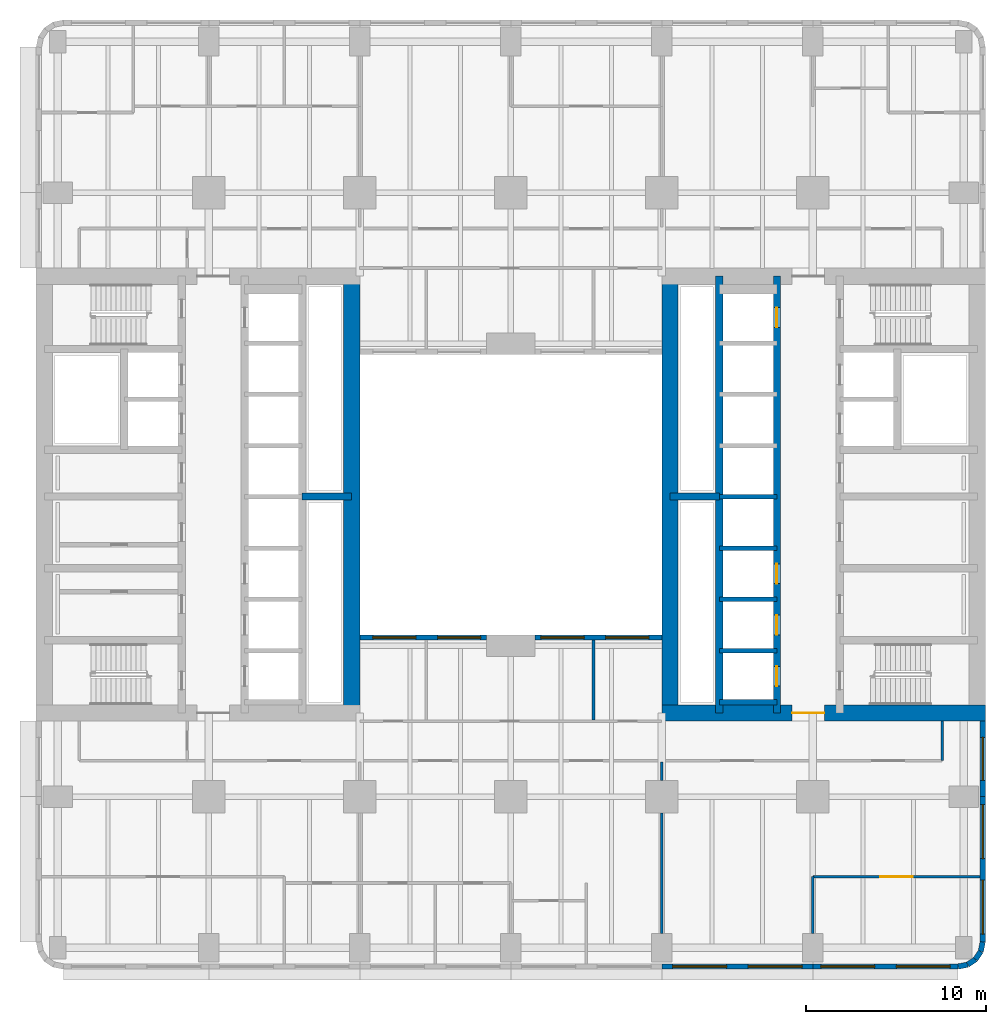
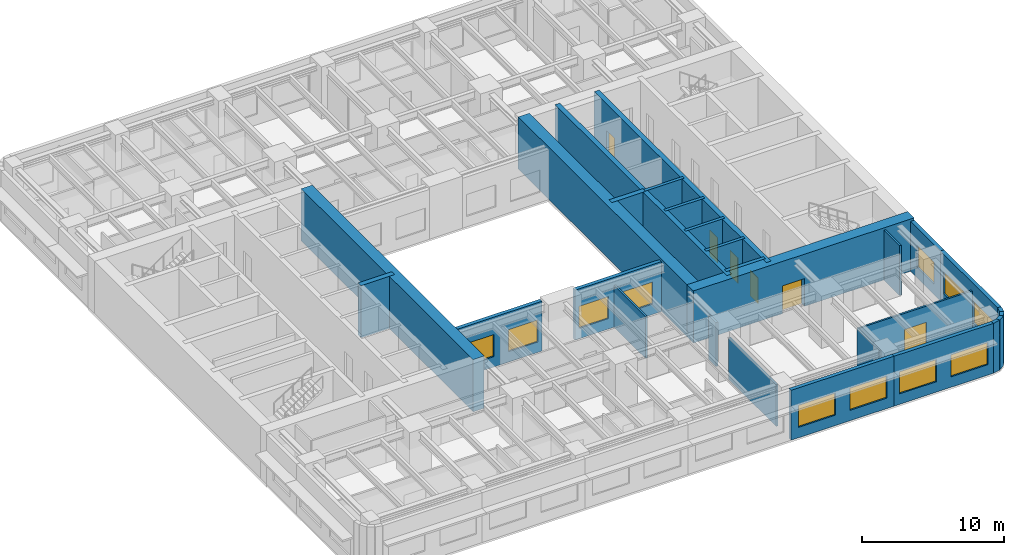
# One storey, part 5 of 13: 28 walls, 11 windows, 6 doors, 17 openings.
"""IFC4 building model written with IfcOpenShell, lengths in metres."""

from ifc_helpers import new_model, si_unit, direction, frame, frame_2d, origin, place, context, subcontext, project, spatial, rectangle, extrude, material, layer, layer_set, type_object, element, fill, save


model = new_model("IFC4")

# Units and contexts
model_context = context("Model", 3, precision=1e-05, world=origin(), true_north=direction((0.0, 1.0)))
body_context = subcontext(model_context, "Body", "Model", "MODEL_VIEW")
ifc_project = project(units=[si_unit("LENGTHUNIT", "METRE"), si_unit("AREAUNIT", "SQUARE_METRE"), si_unit("VOLUMEUNIT", "CUBIC_METRE"), si_unit("PLANEANGLEUNIT", "RADIAN"), si_unit("MASSUNIT", "GRAM", prefix="KILO")], contexts=[model_context])

# Site, building, storey
site_placement = place(None, origin())
site = spatial("IfcSite", under=ifc_project, at=site_placement, CompositionType="ELEMENT")
building_placement = place(site_placement, origin())
building = spatial("IfcBuilding", under=site, at=building_placement, Name="Claustro Exchange Tower", CompositionType="ELEMENT")
storey_placement = place(building_placement, frame((0.0, 0.0, 86.39990234375)))
storey = spatial("IfcBuildingStorey", under=building, at=storey_placement, Name="L19", CompositionType="ELEMENT", Elevation=86.39990234375)

# Wall, opening, door
ifc_material_1 = material(Name="Gypsum board on steel studs", Category="steel")
ifc_layer_1 = layer(ifc_material_1, 0.14990234375)
ifc_layer_set_1 = layer_set([ifc_layer_1], Name="Gypsum board on steel studs")
wall_type_1 = type_object("IfcWallType", Name="P1 150 plasterboard partition", PredefinedType="PARTITIONING", material=ifc_layer_set_1)
wall_1_placement = place(storey_placement, frame((42.0, 3.949951171875, 0.0), z_axis=(0.0, 0.0, 1.0), x_axis=(1.0, 0.0, 0.0)))
wall_1 = element("IfcWall", 1, at=wall_1_placement, inside=storey, type_object=wall_type_1, Name="Partition P1 L19", PredefinedType="PARTITIONING", context=body_context, shape_type="SweptSolid", body=[
    extrude(rectangle(XDim=9.302001953125, YDim=0.14990234375, at=frame_2d((4.65087890625, 0.0))), origin(), (0.0, 0.0, 1.0), 3.60009765625),
])
opening_1_placement = place(wall_1_placement, frame((3.75, 0.0, 0.0)))
opening_1 = element("IfcOpeningElement", 2, at=opening_1_placement, cuts=wall_1, Name="Opening D2", PredefinedType="OPENING", context=body_context, shape_type="SweptSolid", body=[
    extrude(rectangle(XDim=1.800048828125, YDim=2.199951171875, at=frame_2d((0.89990234375, 1.10009765625))), frame((0.0, 0.0849609375, 0.0), z_axis=(0.0, -1.0, 0.0), x_axis=(1.0, 0.0, 0.0)), (0.0, 0.0, 1.0), 0.169921875),
])
ifc_material_2 = material(Name="Timber door, oak veneer", Category="wood")
door_type_1 = type_object("IfcDoorType", Name="D2 1800 x 2200 double door", OperationType="DOUBLE_DOOR_SINGLE_SWING", PredefinedType="DOOR", material=ifc_material_2)
door_1_placement = place(opening_1_placement, frame((1.800048828125, 0.0, 0.0), z_axis=(0.0, 0.0, 1.0), x_axis=(-1.0, 0.0, 0.0)))
door_1 = element("IfcDoor", 3, at=door_1_placement, inside=storey, type_object=door_type_1, Name="Double door D2 L19", OperationType="DOUBLE_DOOR_SINGLE_SWING", OverallHeight=2.199951171875, OverallWidth=1.800048828125, PredefinedType="DOOR", context=body_context, shape_type="SweptSolid", body=[
    extrude(rectangle(XDim=1.800048828125, YDim=2.199951171875, at=frame_2d((0.89990234375, 1.10009765625))), frame((0.0, 0.02490234375, 0.0), z_axis=(0.0, -1.0, 0.0), x_axis=(1.0, 0.0, 0.0)), (0.0, 0.0, 1.0), 0.050048828125),
])
fill(opening_1, door_1)

# Walls
wall_2_placement = place(storey_placement, frame((42.0, 0.799072265625, 0.0), z_axis=(0.0, 0.0, 1.0), x_axis=(0.0, 1.0, 0.0)))
element("IfcWall", 4, at=wall_2_placement, inside=storey, type_object=wall_type_1, Name="Partition P1 L19", PredefinedType="PARTITIONING", context=body_context, shape_type="SweptSolid", body=[
    extrude(rectangle(XDim=3.15087890625, YDim=0.14990234375, at=frame_2d((1.575439453125, 0.0))), origin(), (0.0, 0.0, 1.0), 3.60009765625),
])
wall_3_placement = place(storey_placement, frame((33.60009765625, 0.799072265625, 0.0), z_axis=(0.0, 0.0, 1.0), x_axis=(0.0, 1.0, 0.0)))
element("IfcWall", 5, at=wall_3_placement, inside=storey, type_object=wall_type_1, Name="Partition P1 L19", PredefinedType="PARTITIONING", context=body_context, shape_type="SweptSolid", body=[
    extrude(rectangle(XDim=6.701904296875, YDim=0.14990234375, at=frame_2d((3.35107421875, 0.0))), origin(), (0.0, 0.0, 1.0), 3.60009765625),
])
wall_4_placement = place(storey_placement, frame((33.60009765625, 9.299072265625, 0.0), z_axis=(0.0, 0.0, 1.0), x_axis=(0.0, 1.0, 0.0)))
element("IfcWall", 6, at=wall_4_placement, inside=storey, type_object=wall_type_1, Name="Partition P1 L19", PredefinedType="PARTITIONING", context=body_context, shape_type="SweptSolid", body=[
    extrude(rectangle(XDim=1.02685546875, YDim=0.14990234375, at=frame_2d((0.513427734375, 0.0))), origin(), (0.0, 0.0, 1.0), 3.80419921875),
])
wall_5_placement = place(storey_placement, frame((49.199951171875, 10.39990234375, 0.0), z_axis=(0.0, 0.0, 1.0), x_axis=(0.0, 1.0, 0.0)))
element("IfcWall", 7, at=wall_5_placement, inside=storey, type_object=wall_type_1, Name="Partition P1 L19", PredefinedType="PARTITIONING", context=body_context, shape_type="SweptSolid", body=[
    extrude(rectangle(XDim=2.2021484375, YDim=0.14990234375, at=frame_2d((1.10107421875, 0.0))), origin(), (0.0, 0.0, 1.0), 4.300048828125),
])
wall_6_placement = place(storey_placement, frame((29.800048828125, 12.674072265625, 0.0), z_axis=(0.0, 0.0, 1.0), x_axis=(0.0, 1.0, 0.0)))
element("IfcWall", 8, at=wall_6_placement, inside=storey, type_object=wall_type_1, Name="Partition P1 L19", PredefinedType="PARTITIONING", context=body_context, shape_type="SweptSolid", body=[
    extrude(rectangle(XDim=4.427978515625, YDim=0.14990234375, at=frame_2d((2.2138671875, 0.0))), origin(), (0.0, 0.0, 1.0), 3.610107421875),
])

# Wall, openings, windows
ifc_material_3 = material(Name="Concrete HA-40 (C40/50), precast, white cement, acid-etched", Category="concrete")
ifc_layer_2 = layer(ifc_material_3, 0.300048828125)
ifc_layer_set_2 = layer_set([ifc_layer_2], Name="Concrete HA-40 (C40/50), precast, white cement, acid-etched")
wall_type_2 = type_object("IfcWallType", Name="PC1 300 precast concrete pier panel", PredefinedType="SOLIDWALL", material=ifc_layer_set_2)
wall_7_placement = place(storey_placement, frame((50.085205078125, -1.050048828125, 0.0), z_axis=(0.0, 0.0, 1.0), x_axis=(-1.0, 0.0, 0.0)))
wall_7 = element("IfcWall", 9, at=wall_7_placement, inside=storey, type_object=wall_type_2, Name="Precast pier panel PC1 L19", PredefinedType="SOLIDWALL", context=body_context, shape_type="SweptSolid", body=[
    extrude(rectangle(XDim=8.085205078125, YDim=0.300048828125, at=frame_2d((4.04248046875, 0.0))), origin(), (0.0, 0.0, 1.0), 4.300048828125),
])
opening_2_placement = place(wall_7_placement, frame((0.442626953125, 0.0, 0.89990234375)))
opening_2 = element("IfcOpeningElement", 10, at=opening_2_placement, cuts=wall_7, Name="Opening W1", PredefinedType="OPENING", context=body_context, shape_type="SweptSolid", body=[
    extrude(rectangle(XDim=3.0, YDim=1.89990234375, at=frame_2d((1.5, 0.949951171875))), frame((0.0, 0.159912109375, 0.0), z_axis=(0.0, -1.0, 0.0), x_axis=(1.0, 0.0, 0.0)), (0.0, 0.0, 1.0), 0.320068359375),
])
opening_3_placement = place(wall_7_placement, frame((4.642578125, 0.0, 0.89990234375)))
opening_3 = element("IfcOpeningElement", 11, at=opening_3_placement, cuts=wall_7, Name="Opening W1", PredefinedType="OPENING", context=body_context, shape_type="SweptSolid", body=[
    extrude(rectangle(XDim=3.0, YDim=1.89990234375, at=frame_2d((1.5, 0.949951171875))), frame((0.0, 0.159912109375, 0.0), z_axis=(0.0, -1.0, 0.0), x_axis=(1.0, 0.0, 0.0)), (0.0, 0.0, 1.0), 0.320068359375),
])
ifc_material_4 = material(Name="Aluminium frame, clear double glazing", Category="aluminium")
window_type_1 = type_object("IfcWindowType", Name="W1 3000 x 1900 window", PartitioningType="SINGLE_PANEL", PredefinedType="WINDOW", material=ifc_material_4)
window_1_placement = place(opening_2_placement, origin())
window_1 = element("IfcWindow", 12, at=window_1_placement, inside=storey, type_object=window_type_1, Name="Window W1 L19", OverallHeight=1.89990234375, OverallWidth=3.0, PartitioningType="SINGLE_PANEL", PredefinedType="WINDOW", context=body_context, shape_type="SweptSolid", body=[
    extrude(rectangle(XDim=3.0, YDim=1.89990234375, at=frame_2d((1.5, 0.949951171875))), frame((0.0, 0.030029296875, 0.0), z_axis=(0.0, -1.0, 0.0), x_axis=(1.0, 0.0, 0.0)), (0.0, 0.0, 1.0), 0.06005859375),
])
fill(opening_2, window_1)
window_2_placement = place(opening_3_placement, origin())
window_2 = element("IfcWindow", 13, at=window_2_placement, inside=storey, type_object=window_type_1, Name="Window W1 L19", OverallHeight=1.89990234375, OverallWidth=3.0, PartitioningType="SINGLE_PANEL", PredefinedType="WINDOW", context=body_context, shape_type="SweptSolid", body=[
    extrude(rectangle(XDim=3.0, YDim=1.89990234375, at=frame_2d((1.5, 0.949951171875))), frame((0.0, 0.030029296875, 0.0), z_axis=(0.0, -1.0, 0.0), x_axis=(1.0, 0.0, 0.0)), (0.0, 0.0, 1.0), 0.06005859375),
])
fill(opening_3, window_2)

wall_8_placement = place(storey_placement, frame((42.0, -1.050048828125, 0.0), z_axis=(0.0, 0.0, 1.0), x_axis=(-1.0, 0.0, 0.0)))
wall_8 = element("IfcWall", 14, at=wall_8_placement, inside=storey, type_object=wall_type_2, Name="Precast pier panel PC1 L19", PredefinedType="SOLIDWALL", context=body_context, shape_type="SweptSolid", body=[
    extrude(rectangle(XDim=8.39990234375, YDim=0.300048828125, at=frame_2d((4.199951171875, 0.0))), origin(), (0.0, 0.0, 1.0), 4.300048828125),
])
opening_4_placement = place(wall_8_placement, frame((0.60009765625, 0.0, 0.89990234375)))
opening_4 = element("IfcOpeningElement", 15, at=opening_4_placement, cuts=wall_8, Name="Opening W1", PredefinedType="OPENING", context=body_context, shape_type="SweptSolid", body=[
    extrude(rectangle(XDim=3.0, YDim=1.89990234375, at=frame_2d((1.5, 0.949951171875))), frame((0.0, 0.159912109375, 0.0), z_axis=(0.0, -1.0, 0.0), x_axis=(1.0, 0.0, 0.0)), (0.0, 0.0, 1.0), 0.320068359375),
])
opening_5_placement = place(wall_8_placement, frame((4.800048828125, 0.0, 0.89990234375)))
opening_5 = element("IfcOpeningElement", 16, at=opening_5_placement, cuts=wall_8, Name="Opening W1", PredefinedType="OPENING", context=body_context, shape_type="SweptSolid", body=[
    extrude(rectangle(XDim=3.0, YDim=1.89990234375, at=frame_2d((1.5, 0.949951171875))), frame((0.0, 0.159912109375, 0.0), z_axis=(0.0, -1.0, 0.0), x_axis=(1.0, 0.0, 0.0)), (0.0, 0.0, 1.0), 0.320068359375),
])
window_3_placement = place(opening_4_placement, origin())
window_3 = element("IfcWindow", 17, at=window_3_placement, inside=storey, type_object=window_type_1, Name="Window W1 L19", OverallHeight=1.89990234375, OverallWidth=3.0, PartitioningType="SINGLE_PANEL", PredefinedType="WINDOW", context=body_context, shape_type="SweptSolid", body=[
    extrude(rectangle(XDim=3.0, YDim=1.89990234375, at=frame_2d((1.5, 0.949951171875))), frame((0.0, 0.030029296875, 0.0), z_axis=(0.0, -1.0, 0.0), x_axis=(1.0, 0.0, 0.0)), (0.0, 0.0, 1.0), 0.06005859375),
])
fill(opening_4, window_3)
window_4_placement = place(opening_5_placement, origin())
window_4 = element("IfcWindow", 18, at=window_4_placement, inside=storey, type_object=window_type_1, Name="Window W1 L19", OverallHeight=1.89990234375, OverallWidth=3.0, PartitioningType="SINGLE_PANEL", PredefinedType="WINDOW", context=body_context, shape_type="SweptSolid", body=[
    extrude(rectangle(XDim=3.0, YDim=1.89990234375, at=frame_2d((1.5, 0.949951171875))), frame((0.0, 0.030029296875, 0.0), z_axis=(0.0, -1.0, 0.0), x_axis=(1.0, 0.0, 0.0)), (0.0, 0.0, 1.0), 0.06005859375),
])
fill(opening_5, window_4)

# Wall, opening, window
wall_9_placement = place(storey_placement, frame((51.449951171875, 12.60009765625, 0.0), z_axis=(0.0, 0.0, 1.0), x_axis=(0.0, -1.0, 0.0)))
wall_9 = element("IfcWall", 19, at=wall_9_placement, inside=storey, type_object=wall_type_2, Name="Precast pier panel PC1 L19", PredefinedType="SOLIDWALL", context=body_context, shape_type="SweptSolid", body=[
    extrude(rectangle(XDim=4.2001953125, YDim=0.300048828125, at=frame_2d((2.10009765625, 0.0))), origin(), (0.0, 0.0, 1.0), 4.300048828125),
])
opening_6_placement = place(wall_9_placement, frame((0.89990234375, 0.0, 0.89990234375)))
opening_6 = element("IfcOpeningElement", 20, at=opening_6_placement, cuts=wall_9, Name="Opening W2", PredefinedType="OPENING", context=body_context, shape_type="SweptSolid", body=[
    extrude(rectangle(XDim=2.39990234375, YDim=1.89990234375, at=frame_2d((1.199951171875, 0.949951171875))), frame((0.0, 0.159912109375, 0.0), z_axis=(0.0, -1.0, 0.0), x_axis=(1.0, 0.0, 0.0)), (0.0, 0.0, 1.0), 0.320068359375),
])
ifc_material_5 = material(Name="Aluminium frame, clear double glazing", Category="aluminium")
window_type_2 = type_object("IfcWindowType", Name="W2 2400 x 1900 window", PartitioningType="SINGLE_PANEL", PredefinedType="WINDOW", material=ifc_material_5)
window_5_placement = place(opening_6_placement, origin())
window_5 = element("IfcWindow", 21, at=window_5_placement, inside=storey, type_object=window_type_2, Name="Window W2 L19", OverallHeight=1.89990234375, OverallWidth=2.39990234375, PartitioningType="SINGLE_PANEL", PredefinedType="WINDOW", context=body_context, shape_type="SweptSolid", body=[
    extrude(rectangle(XDim=2.39990234375, YDim=1.89990234375, at=frame_2d((1.199951171875, 0.949951171875))), frame((0.0, 0.030029296875, 0.0), z_axis=(0.0, -1.0, 0.0), x_axis=(1.0, 0.0, 0.0)), (0.0, 0.0, 1.0), 0.06005859375),
])
fill(opening_6, window_5)

# Wall, openings, windows
wall_10_placement = place(storey_placement, frame((51.449951171875, 8.39990234375, 0.0), z_axis=(0.0, 0.0, 1.0), x_axis=(0.0, -1.0, 0.0)))
wall_10 = element("IfcWall", 22, at=wall_10_placement, inside=storey, type_object=wall_type_2, Name="Precast pier panel PC1 L19", PredefinedType="SOLIDWALL", context=body_context, shape_type="SweptSolid", body=[
    extrude(rectangle(XDim=8.085205078125, YDim=0.300048828125, at=frame_2d((4.04248046875, 0.0))), origin(), (0.0, 0.0, 1.0), 4.300048828125),
])
opening_7_placement = place(wall_10_placement, frame((0.442626953125, 0.0, 0.89990234375)))
opening_7 = element("IfcOpeningElement", 23, at=opening_7_placement, cuts=wall_10, Name="Opening W1", PredefinedType="OPENING", context=body_context, shape_type="SweptSolid", body=[
    extrude(rectangle(XDim=3.0, YDim=1.89990234375, at=frame_2d((1.5, 0.949951171875))), frame((0.0, 0.159912109375, 0.0), z_axis=(0.0, -1.0, 0.0), x_axis=(1.0, 0.0, 0.0)), (0.0, 0.0, 1.0), 0.320068359375),
])
opening_8_placement = place(wall_10_placement, frame((4.642578125, 0.0, 0.89990234375)))
opening_8 = element("IfcOpeningElement", 24, at=opening_8_placement, cuts=wall_10, Name="Opening W1", PredefinedType="OPENING", context=body_context, shape_type="SweptSolid", body=[
    extrude(rectangle(XDim=3.0, YDim=1.89990234375, at=frame_2d((1.5, 0.949951171875))), frame((0.0, 0.159912109375, 0.0), z_axis=(0.0, -1.0, 0.0), x_axis=(1.0, 0.0, 0.0)), (0.0, 0.0, 1.0), 0.320068359375),
])
window_6_placement = place(opening_7_placement, origin())
window_6 = element("IfcWindow", 25, at=window_6_placement, inside=storey, type_object=window_type_1, Name="Window W1 L19", OverallHeight=1.89990234375, OverallWidth=3.0, PartitioningType="SINGLE_PANEL", PredefinedType="WINDOW", context=body_context, shape_type="SweptSolid", body=[
    extrude(rectangle(XDim=3.0, YDim=1.89990234375, at=frame_2d((1.5, 0.949951171875))), frame((0.0, 0.030029296875, 0.0), z_axis=(0.0, -1.0, 0.0), x_axis=(1.0, 0.0, 0.0)), (0.0, 0.0, 1.0), 0.06005859375),
])
fill(opening_7, window_6)
window_7_placement = place(opening_8_placement, origin())
window_7 = element("IfcWindow", 26, at=window_7_placement, inside=storey, type_object=window_type_1, Name="Window W1 L19", OverallHeight=1.89990234375, OverallWidth=3.0, PartitioningType="SINGLE_PANEL", PredefinedType="WINDOW", context=body_context, shape_type="SweptSolid", body=[
    extrude(rectangle(XDim=3.0, YDim=1.89990234375, at=frame_2d((1.5, 0.949951171875))), frame((0.0, 0.030029296875, 0.0), z_axis=(0.0, -1.0, 0.0), x_axis=(1.0, 0.0, 0.0)), (0.0, 0.0, 1.0), 0.06005859375),
])
fill(opening_8, window_7)

# Walls
wall_11_placement = place(storey_placement, frame((51.449951171875, 0.314697265625, 0.0), z_axis=(0.0, 0.0, 1.0), x_axis=(-0.195073962632, -0.980788534345, 0.0)))
element("IfcWall", 27, at=wall_11_placement, inside=storey, type_object=wall_type_2, Name="Precast pier panel PC1 L19", PredefinedType="SOLIDWALL", context=body_context, shape_type="SweptSolid", body=[
    extrude(rectangle(XDim=0.540771484375, YDim=0.300048828125, at=frame_2d((0.2705078125, 0.0))), origin(), (0.0, 0.0, 1.0), 4.300048828125),
])
for number, where, z_axis, x_axis, name in (
    (28, (51.344482421875, -0.215576171875, 0.0), (0.0, 0.0, 1.0), (-0.555557463938, -0.831478144188, 0.0), "Precast pier panel PC1 L19"),
    (29, (51.052490234375, -0.652587890625, 0.0), (0.0, 0.0, 1.0), (-0.831478144188, -0.555557463938, 0.0), "Precast pier panel PC1 L19"),
):
    element("IfcWall", number, at=place(storey_placement, frame(where, z_axis=z_axis, x_axis=x_axis)), inside=storey, type_object=wall_type_2, Name=name, PredefinedType="SOLIDWALL", context=body_context, shape_type="SweptSolid", body=[
        extrude(rectangle(XDim=0.525634765625, YDim=0.300048828125, at=frame_2d((0.2626953125, 0.0))), origin(), (0.0, 0.0, 1.0), 4.300048828125),
    ])
wall_12_placement = place(storey_placement, frame((50.615478515625, -0.944580078125, 0.0), z_axis=(0.0, 0.0, 1.0), x_axis=(-0.980788534345, -0.195073962632, 0.0)))
element("IfcWall", 30, at=wall_12_placement, inside=storey, type_object=wall_type_2, Name="Precast pier panel PC1 L19", PredefinedType="SOLIDWALL", context=body_context, shape_type="SweptSolid", body=[
    extrude(rectangle(XDim=0.540771484375, YDim=0.300048828125, at=frame_2d((0.2705078125, 0.0))), origin(), (0.0, 0.0, 1.0), 4.300048828125),
])

# Wall, openings, windows
wall_13_placement = place(storey_placement, frame((16.800048828125, 17.25, 0.0), z_axis=(0.0, 0.0, 1.0), x_axis=(1.0, 0.0, 0.0)))
wall_13 = element("IfcWall", 31, at=wall_13_placement, inside=storey, type_object=wall_type_2, Name="Precast pier panel PC1 L19", PredefinedType="SOLIDWALL", context=body_context, shape_type="SweptSolid", body=[
    extrude(rectangle(XDim=7.050048828125, YDim=0.300048828125, at=frame_2d((3.52490234375, 0.0))), origin(), (0.0, 0.0, 1.0), 4.300048828125),
])
opening_9_placement = place(wall_13_placement, frame((0.72509765625, 0.0, 0.89990234375)))
opening_9 = element("IfcOpeningElement", 32, at=opening_9_placement, cuts=wall_13, Name="Opening W2", PredefinedType="OPENING", context=body_context, shape_type="SweptSolid", body=[
    extrude(rectangle(XDim=2.39990234375, YDim=1.89990234375, at=frame_2d((1.199951171875, 0.949951171875))), frame((0.0, 0.159912109375, 0.0), z_axis=(0.0, -1.0, 0.0), x_axis=(1.0, 0.0, 0.0)), (0.0, 0.0, 1.0), 0.320068359375),
])
opening_10_placement = place(wall_13_placement, frame((4.324951171875, 0.0, 0.89990234375)))
opening_10 = element("IfcOpeningElement", 33, at=opening_10_placement, cuts=wall_13, Name="Opening W2", PredefinedType="OPENING", context=body_context, shape_type="SweptSolid", body=[
    extrude(rectangle(XDim=2.39990234375, YDim=1.89990234375, at=frame_2d((1.199951171875, 0.949951171875))), frame((0.0, 0.159912109375, 0.0), z_axis=(0.0, -1.0, 0.0), x_axis=(1.0, 0.0, 0.0)), (0.0, 0.0, 1.0), 0.320068359375),
])
window_8_placement = place(opening_9_placement, origin())
window_8 = element("IfcWindow", 34, at=window_8_placement, inside=storey, type_object=window_type_2, Name="Window W2 L19", OverallHeight=1.89990234375, OverallWidth=2.39990234375, PartitioningType="SINGLE_PANEL", PredefinedType="WINDOW", context=body_context, shape_type="SweptSolid", body=[
    extrude(rectangle(XDim=2.39990234375, YDim=1.89990234375, at=frame_2d((1.199951171875, 0.949951171875))), frame((0.0, 0.030029296875, 0.0), z_axis=(0.0, -1.0, 0.0), x_axis=(1.0, 0.0, 0.0)), (0.0, 0.0, 1.0), 0.06005859375),
])
fill(opening_9, window_8)
window_9_placement = place(opening_10_placement, origin())
window_9 = element("IfcWindow", 35, at=window_9_placement, inside=storey, type_object=window_type_2, Name="Window W2 L19", OverallHeight=1.89990234375, OverallWidth=2.39990234375, PartitioningType="SINGLE_PANEL", PredefinedType="WINDOW", context=body_context, shape_type="SweptSolid", body=[
    extrude(rectangle(XDim=2.39990234375, YDim=1.89990234375, at=frame_2d((1.199951171875, 0.949951171875))), frame((0.0, 0.030029296875, 0.0), z_axis=(0.0, -1.0, 0.0), x_axis=(1.0, 0.0, 0.0)), (0.0, 0.0, 1.0), 0.06005859375),
])
fill(opening_10, window_9)

wall_14_placement = place(storey_placement, frame((26.550048828125, 17.25, 0.0), z_axis=(0.0, 0.0, 1.0), x_axis=(1.0, 0.0, 0.0)))
wall_14 = element("IfcWall", 36, at=wall_14_placement, inside=storey, type_object=wall_type_2, Name="Precast pier panel PC1 L19", PredefinedType="SOLIDWALL", context=body_context, shape_type="SweptSolid", body=[
    extrude(rectangle(XDim=7.050048828125, YDim=0.300048828125, at=frame_2d((3.52490234375, 0.0))), origin(), (0.0, 0.0, 1.0), 4.300048828125),
])
opening_11_placement = place(wall_14_placement, frame((0.324951171875, 0.0, 0.89990234375)))
opening_11 = element("IfcOpeningElement", 37, at=opening_11_placement, cuts=wall_14, Name="Opening W2", PredefinedType="OPENING", context=body_context, shape_type="SweptSolid", body=[
    extrude(rectangle(XDim=2.39990234375, YDim=1.89990234375, at=frame_2d((1.199951171875, 0.949951171875))), frame((0.0, 0.159912109375, 0.0), z_axis=(0.0, -1.0, 0.0), x_axis=(1.0, 0.0, 0.0)), (0.0, 0.0, 1.0), 0.320068359375),
])
opening_12_placement = place(wall_14_placement, frame((3.925048828125, 0.0, 0.89990234375)))
opening_12 = element("IfcOpeningElement", 38, at=opening_12_placement, cuts=wall_14, Name="Opening W2", PredefinedType="OPENING", context=body_context, shape_type="SweptSolid", body=[
    extrude(rectangle(XDim=2.39990234375, YDim=1.89990234375, at=frame_2d((1.199951171875, 0.949951171875))), frame((0.0, 0.159912109375, 0.0), z_axis=(0.0, -1.0, 0.0), x_axis=(1.0, 0.0, 0.0)), (0.0, 0.0, 1.0), 0.320068359375),
])
window_10_placement = place(opening_11_placement, origin())
window_10 = element("IfcWindow", 39, at=window_10_placement, inside=storey, type_object=window_type_2, Name="Window W2 L19", OverallHeight=1.89990234375, OverallWidth=2.39990234375, PartitioningType="SINGLE_PANEL", PredefinedType="WINDOW", context=body_context, shape_type="SweptSolid", body=[
    extrude(rectangle(XDim=2.39990234375, YDim=1.89990234375, at=frame_2d((1.199951171875, 0.949951171875))), frame((0.0, 0.030029296875, 0.0), z_axis=(0.0, -1.0, 0.0), x_axis=(1.0, 0.0, 0.0)), (0.0, 0.0, 1.0), 0.06005859375),
])
fill(opening_11, window_10)
window_11_placement = place(opening_12_placement, origin())
window_11 = element("IfcWindow", 40, at=window_11_placement, inside=storey, type_object=window_type_2, Name="Window W2 L19", OverallHeight=1.89990234375, OverallWidth=2.39990234375, PartitioningType="SINGLE_PANEL", PredefinedType="WINDOW", context=body_context, shape_type="SweptSolid", body=[
    extrude(rectangle(XDim=2.39990234375, YDim=1.89990234375, at=frame_2d((1.199951171875, 0.949951171875))), frame((0.0, 0.030029296875, 0.0), z_axis=(0.0, -1.0, 0.0), x_axis=(1.0, 0.0, 0.0)), (0.0, 0.0, 1.0), 0.06005859375),
])
fill(opening_12, window_11)

# Wall, opening, door
ifc_material_6 = material(Name="Concrete HA-70 (C70/85)", Category="concrete")
ifc_layer_3 = layer(ifc_material_6, 0.89990234375)
ifc_layer_set_3 = layer_set([ifc_layer_3], Name="Concrete HA-70 (C70/85)")
wall_type_3 = type_object("IfcWallType", Name="SW1 900 core shear wall", PredefinedType="SHEAR", material=ifc_layer_set_3)
wall_15_placement = place(storey_placement, frame((33.60009765625, 13.050048828125, 0.0), z_axis=(0.0, 0.0, 1.0), x_axis=(1.0, 0.0, 0.0)))
wall_15 = element("IfcWall", 41, at=wall_15_placement, inside=storey, type_object=wall_type_3, Name="Core wall SW1 E core S face L19", PredefinedType="SHEAR", context=body_context, shape_type="SweptSolid", body=[
    extrude(rectangle(XDim=18.0, YDim=0.89990234375, at=frame_2d((9.0, 0.0))), origin(), (0.0, 0.0, 1.0), 4.5),
])
opening_13_placement = place(wall_15_placement, frame((7.25, 0.0, 0.0)))
opening_13 = element("IfcOpeningElement", 42, at=opening_13_placement, cuts=wall_15, Name="Opening D3", PredefinedType="OPENING", context=body_context, shape_type="SweptSolid", body=[
    extrude(rectangle(XDim=1.800048828125, YDim=2.39990234375, at=frame_2d((0.89990234375, 1.199951171875))), frame((0.0, 0.4599609375, 0.0), z_axis=(0.0, -1.0, 0.0), x_axis=(1.0, 0.0, 0.0)), (0.0, 0.0, 1.0), 0.919921875),
])
ifc_material_7 = material(Name="Steel fire door, painted", Category="steel")
door_type_2 = type_object("IfcDoorType", Name="D3 1800 x 2400 fire-rated lobby double door", OperationType="DOUBLE_DOOR_SINGLE_SWING", PredefinedType="DOOR", material=ifc_material_7)
door_2_placement = place(opening_13_placement, origin())
door_2 = element("IfcDoor", 43, at=door_2_placement, inside=storey, type_object=door_type_2, Name="Lift lobby door D3 L19", OperationType="DOUBLE_DOOR_SINGLE_SWING", OverallHeight=2.39990234375, OverallWidth=1.800048828125, PredefinedType="DOOR", context=body_context, shape_type="SweptSolid", body=[
    extrude(rectangle(XDim=1.800048828125, YDim=2.39990234375, at=frame_2d((0.89990234375, 1.199951171875))), frame((0.0, 0.02490234375, 0.0), z_axis=(0.0, -1.0, 0.0), x_axis=(1.0, 0.0, 0.0)), (0.0, 0.0, 1.0), 0.050048828125),
])
fill(opening_13, door_2)

# Walls
ifc_material_8 = material(Name="Concrete HA-70 (C70/85)", Category="concrete")
ifc_layer_4 = layer(ifc_material_8, 0.89990234375)
ifc_layer_set_4 = layer_set([ifc_layer_4], Name="Concrete HA-70 (C70/85)")
wall_type_4 = type_object("IfcWallType", Name="SW1X 900 exposed core shear wall, board-marked face", PredefinedType="SHEAR", material=ifc_layer_set_4)
for number, where, z_axis, x_axis, name in (
    (44, (16.35009765625, 13.050048828125, 0.0), (0.0, 0.0, 1.0), (0.0, 1.0, 0.0), "Core wall SW1X W core E face L19"),
    (45, (34.050048828125, 13.050048828125, 0.0), (0.0, 0.0, 1.0), (0.0, 1.0, 0.0), "Core wall SW1X E core W face L19"),
):
    element("IfcWall", number, at=place(storey_placement, frame(where, z_axis=z_axis, x_axis=x_axis)), inside=storey, type_object=wall_type_4, Name=name, PredefinedType="SHEAR", context=body_context, shape_type="SweptSolid", body=[
        extrude(rectangle(XDim=24.300048828125, YDim=0.89990234375, at=frame_2d((12.14990234375, 0.0))), origin(), (0.0, 0.0, 1.0), 4.5),
    ])
ifc_material_9 = material(Name="Concrete HA-50 (C50/60)", Category="concrete")
ifc_layer_5 = layer(ifc_material_9, 0.39990234375)
ifc_layer_set_5 = layer_set([ifc_layer_5], Name="Concrete HA-50 (C50/60)")
wall_type_5 = type_object("IfcWallType", Name="SW4 400 internal core wall", PredefinedType="SHEAR", material=ifc_layer_set_5)
wall_16_placement = place(storey_placement, frame((13.60009765625, 25.10009765625, 0.0), z_axis=(0.0, 0.0, 1.0), x_axis=(1.0, 0.0, 0.0)))
element("IfcWall", 46, at=wall_16_placement, inside=storey, type_object=wall_type_5, Name="Internal core wall SW4 W core L19", PredefinedType="SHEAR", context=body_context, shape_type="SweptSolid", body=[
    extrude(rectangle(XDim=2.75, YDim=0.39990234375, at=frame_2d((1.375, 0.0))), origin(), (0.0, 0.0, 1.0), 4.5),
])

# Wall, openings, doors
wall_17_placement = place(storey_placement, frame((40.0, 13.050048828125, 0.0), z_axis=(0.0, 0.0, 1.0), x_axis=(0.0, 1.0, 0.0)))
wall_17 = element("IfcWall", 47, at=wall_17_placement, inside=storey, type_object=wall_type_5, Name="Internal core wall SW4 E core L19", PredefinedType="SHEAR", context=body_context, shape_type="SweptSolid", body=[
    extrude(rectangle(XDim=24.300048828125, YDim=0.39990234375, at=frame_2d((12.14990234375, 0.0))), origin(), (0.0, 0.0, 1.0), 4.5),
])
opening_14_placement = place(wall_17_placement, frame((1.5, 0.0, 0.0)))
opening_14 = element("IfcOpeningElement", 48, at=opening_14_placement, cuts=wall_17, Name="Opening LD", PredefinedType="OPENING", context=body_context, shape_type="SweptSolid", body=[
    extrude(rectangle(XDim=1.10009765625, YDim=2.199951171875, at=frame_2d((0.550048828125, 1.10009765625))), frame((0.0, 0.2099609375, 0.0), z_axis=(0.0, -1.0, 0.0), x_axis=(1.0, 0.0, 0.0)), (0.0, 0.0, 1.0), 0.419921875),
])
opening_15_placement = place(wall_17_placement, frame((4.35009765625, 0.0, 0.0)))
opening_15 = element("IfcOpeningElement", 49, at=opening_15_placement, cuts=wall_17, Name="Opening LD", PredefinedType="OPENING", context=body_context, shape_type="SweptSolid", body=[
    extrude(rectangle(XDim=1.10009765625, YDim=2.199951171875, at=frame_2d((0.550048828125, 1.10009765625))), frame((0.0, 0.2099609375, 0.0), z_axis=(0.0, -1.0, 0.0), x_axis=(1.0, 0.0, 0.0)), (0.0, 0.0, 1.0), 0.419921875),
])
opening_16_placement = place(wall_17_placement, frame((7.199951171875, 0.0, 0.0)))
opening_16 = element("IfcOpeningElement", 50, at=opening_16_placement, cuts=wall_17, Name="Opening LD", PredefinedType="OPENING", context=body_context, shape_type="SweptSolid", body=[
    extrude(rectangle(XDim=1.10009765625, YDim=2.199951171875, at=frame_2d((0.550048828125, 1.10009765625))), frame((0.0, 0.2099609375, 0.0), z_axis=(0.0, -1.0, 0.0), x_axis=(1.0, 0.0, 0.0)), (0.0, 0.0, 1.0), 0.419921875),
])
opening_17_placement = place(wall_17_placement, frame((21.449951171875, 0.0, 0.0)))
opening_17 = element("IfcOpeningElement", 51, at=opening_17_placement, cuts=wall_17, Name="Opening LD", PredefinedType="OPENING", context=body_context, shape_type="SweptSolid", body=[
    extrude(rectangle(XDim=1.10009765625, YDim=2.199951171875, at=frame_2d((0.550048828125, 1.10009765625))), frame((0.0, 0.2099609375, 0.0), z_axis=(0.0, -1.0, 0.0), x_axis=(1.0, 0.0, 0.0)), (0.0, 0.0, 1.0), 0.419921875),
])
ifc_material_10 = material(Name="Stainless steel sliding door", Category="steel")
door_type_3 = type_object("IfcDoorType", Name="LD 1100 x 2200 lift landing door", OperationType="DOUBLE_DOOR_SLIDING", PredefinedType="DOOR", material=ifc_material_10)
door_3_placement = place(opening_14_placement, origin())
door_3 = element("IfcDoor", 52, at=door_3_placement, inside=storey, type_object=door_type_3, Name="Lift landing door LLE1 LD L19", OperationType="DOUBLE_DOOR_SLIDING", OverallHeight=2.199951171875, OverallWidth=1.10009765625, PredefinedType="DOOR", context=body_context, shape_type="SweptSolid", body=[
    extrude(rectangle(XDim=1.10009765625, YDim=2.199951171875, at=frame_2d((0.550048828125, 1.10009765625))), frame((0.0, 0.02490234375, 0.0), z_axis=(0.0, -1.0, 0.0), x_axis=(1.0, 0.0, 0.0)), (0.0, 0.0, 1.0), 0.050048828125),
])
fill(opening_14, door_3)
door_4_placement = place(opening_15_placement, origin())
door_4 = element("IfcDoor", 53, at=door_4_placement, inside=storey, type_object=door_type_3, Name="Lift landing door LLE2 LD L19", OperationType="DOUBLE_DOOR_SLIDING", OverallHeight=2.199951171875, OverallWidth=1.10009765625, PredefinedType="DOOR", context=body_context, shape_type="SweptSolid", body=[
    extrude(rectangle(XDim=1.10009765625, YDim=2.199951171875, at=frame_2d((0.550048828125, 1.10009765625))), frame((0.0, 0.02490234375, 0.0), z_axis=(0.0, -1.0, 0.0), x_axis=(1.0, 0.0, 0.0)), (0.0, 0.0, 1.0), 0.050048828125),
])
fill(opening_15, door_4)
door_5_placement = place(opening_16_placement, origin())
door_5 = element("IfcDoor", 54, at=door_5_placement, inside=storey, type_object=door_type_3, Name="Lift landing door LLE3 LD L19", OperationType="DOUBLE_DOOR_SLIDING", OverallHeight=2.199951171875, OverallWidth=1.10009765625, PredefinedType="DOOR", context=body_context, shape_type="SweptSolid", body=[
    extrude(rectangle(XDim=1.10009765625, YDim=2.199951171875, at=frame_2d((0.550048828125, 1.10009765625))), frame((0.0, 0.02490234375, 0.0), z_axis=(0.0, -1.0, 0.0), x_axis=(1.0, 0.0, 0.0)), (0.0, 0.0, 1.0), 0.050048828125),
])
fill(opening_16, door_5)
door_6_placement = place(opening_17_placement, origin())
door_6 = element("IfcDoor", 55, at=door_6_placement, inside=storey, type_object=door_type_3, Name="Lift landing door LSE1 LD L19", OperationType="DOUBLE_DOOR_SLIDING", OverallHeight=2.199951171875, OverallWidth=1.10009765625, PredefinedType="DOOR", context=body_context, shape_type="SweptSolid", body=[
    extrude(rectangle(XDim=1.10009765625, YDim=2.199951171875, at=frame_2d((0.550048828125, 1.10009765625))), frame((0.0, 0.02490234375, 0.0), z_axis=(0.0, -1.0, 0.0), x_axis=(1.0, 0.0, 0.0)), (0.0, 0.0, 1.0), 0.050048828125),
])
fill(opening_17, door_6)

# Walls
wall_18_placement = place(storey_placement, frame((36.800048828125, 13.050048828125, 0.0), z_axis=(0.0, 0.0, 1.0), x_axis=(0.0, 1.0, 0.0)))
element("IfcWall", 56, at=wall_18_placement, inside=storey, type_object=wall_type_5, Name="Internal core wall SW4 E core L19", PredefinedType="SHEAR", context=body_context, shape_type="SweptSolid", body=[
    extrude(rectangle(XDim=24.300048828125, YDim=0.39990234375, at=frame_2d((12.14990234375, 0.0))), origin(), (0.0, 0.0, 1.0), 4.5),
])
wall_19_placement = place(storey_placement, frame((36.800048828125, 25.10009765625, 0.0), z_axis=(0.0, 0.0, 1.0), x_axis=(-1.0, 0.0, 0.0)))
element("IfcWall", 57, at=wall_19_placement, inside=storey, type_object=wall_type_5, Name="Internal core wall SW4 E core L19", PredefinedType="SHEAR", context=body_context, shape_type="SweptSolid", body=[
    extrude(rectangle(XDim=2.75, YDim=0.39990234375, at=frame_2d((1.375, 0.0))), origin(), (0.0, 0.0, 1.0), 4.5),
])
ifc_material_11 = material(Name="Concrete HA-50 (C50/60)", Category="concrete")
ifc_layer_6 = layer(ifc_material_11, 0.25)
ifc_layer_set_6 = layer_set([ifc_layer_6], Name="Concrete HA-50 (C50/60)")
wall_type_6 = type_object("IfcWallType", Name="SW5 250 lift shaft divider wall", PredefinedType="SHEAR", material=ifc_layer_set_6)
for number, where, z_axis, x_axis, name in (
    (58, (40.0, 16.52490234375, 0.0), (0.0, 0.0, 1.0), (-1.0, 0.0, 0.0), "Lift shaft wall E core L19"),
    (59, (40.0, 19.375, 0.0), (0.0, 0.0, 1.0), (-1.0, 0.0, 0.0), "Lift shaft wall E core L19"),
    (60, (40.0, 22.22509765625, 0.0), (0.0, 0.0, 1.0), (-1.0, 0.0, 0.0), "Lift shaft wall E core L19"),
    (61, (40.0, 25.074951171875, 0.0), (0.0, 0.0, 1.0), (-1.0, 0.0, 0.0), "Lift shaft wall E core L19"),
):
    element("IfcWall", number, at=place(storey_placement, frame(where, z_axis=z_axis, x_axis=x_axis)), inside=storey, type_object=wall_type_6, Name=name, PredefinedType="SHEAR", context=body_context, shape_type="SweptSolid", body=[
        extrude(rectangle(XDim=3.199951171875, YDim=0.25, at=frame_2d((1.60009765625, 0.0))), origin(), (0.0, 0.0, 1.0), 4.5),
    ])
ifc_material_12 = material(Name="Concrete HA-50 (C50/60)", Category="concrete")
ifc_layer_7 = layer(ifc_material_12, 0.300048828125)
ifc_layer_set_7 = layer_set([ifc_layer_7], Name="Concrete HA-50 (C50/60)")
wall_type_7 = type_object("IfcWallType", Name="SW6A 300 lift shaft end wall", PredefinedType="SHEAR", material=ifc_layer_set_7)
wall_20_placement = place(storey_placement, frame((40.0, 13.64990234375, 0.0), z_axis=(0.0, 0.0, 1.0), x_axis=(-1.0, 0.0, 0.0)))
element("IfcWall", 62, at=wall_20_placement, inside=storey, type_object=wall_type_7, Name="Lift shaft wall E core L19", PredefinedType="SHEAR", context=body_context, shape_type="SweptSolid", body=[
    extrude(rectangle(XDim=3.199951171875, YDim=0.300048828125, at=frame_2d((1.60009765625, 0.0))), origin(), (0.0, 0.0, 1.0), 4.5),
])

save(model, "model.ifc")
